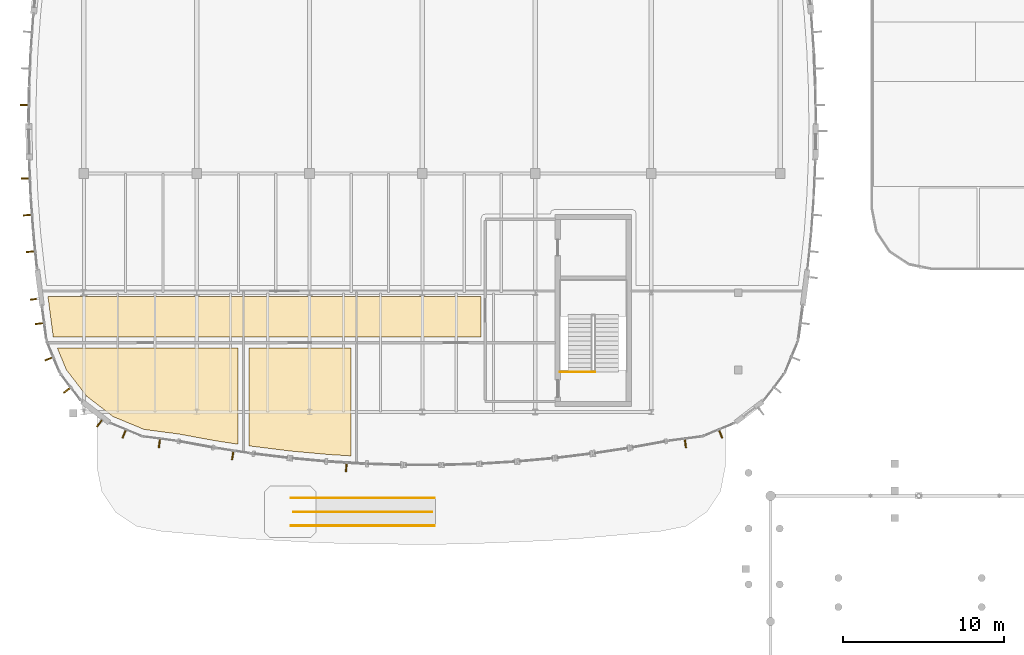
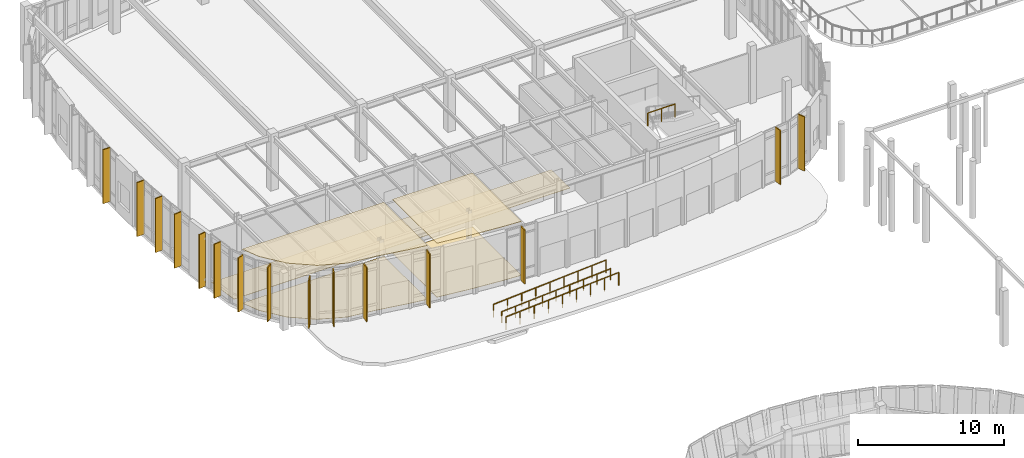
# One storey, part 109 of 120: 20 coverings, 4 railings, 2 shading devices.
"""IFC4 building model written with IfcOpenShell, lengths in metres."""

from ifc_helpers import new_model, si_unit, direction, frame, origin, origin_2d, place, context, subcontext, project, spatial, polyline, rectangle, circle, outline, extrude, material, layer, layer_set, type_object, element, save


model = new_model("IFC4")

# Units and contexts
model_context = context("Model", 3, precision=1e-05, world=origin(), true_north=direction((0.0, 1.0)))
body_context = subcontext(model_context, "Body", "Model", "MODEL_VIEW")
ifc_project = project(units=[si_unit("LENGTHUNIT", "METRE"), si_unit("AREAUNIT", "SQUARE_METRE"), si_unit("VOLUMEUNIT", "CUBIC_METRE"), si_unit("PLANEANGLEUNIT", "RADIAN"), si_unit("MASSUNIT", "GRAM", prefix="KILO")], contexts=[model_context])

# Site, building, storey
site_placement = place(None, origin())
site = spatial("IfcSite", under=ifc_project, at=site_placement, CompositionType="ELEMENT")
building_placement = place(site_placement, origin())
building = spatial("IfcBuilding", under=site, at=building_placement, Name="Corveleigh Park Community Centre", CompositionType="ELEMENT")
storey_placement = place(building_placement, origin())
storey = spatial("IfcBuildingStorey", under=building, at=storey_placement, Name="L00", CompositionType="ELEMENT", Elevation=0.0)

# Coverings
ifc_material_1 = material(Name="Warm buff ribbed architectural cladding", Category="masonry")
ifc_layer_1 = layer(ifc_material_1, 0.0849609375, Name="Warm buff ribbed architectural cladding", Category="masonry")
ifc_layer_set_1 = layer_set([ifc_layer_1], Name="Warm buff ribbed architectural cladding")
covering_type_1 = type_object("IfcCoveringType", Name="COV-CLD-BUF", PredefinedType="CLADDING", material=ifc_layer_set_1)
covering_1_placement = place(storey_placement, origin())
element("IfcCovering", 1, at=covering_1_placement, inside=storey, type_object=covering_type_1, Name="V2 L00 Brise-soleil blade 1", PredefinedType="CLADDING", context=body_context, shape_type="SweptSolid", body=[
    extrude(outline(polyline([(20.52294921875, 75.611083984375), (20.43896484375, 75.6240234375), (20.35205078125, 75.051025390625), (20.43603515625, 75.0380859375), (20.52294921875, 75.611083984375)])), origin(), (0.0, 0.0, 1.0), 4.511962890625),
])
covering_2_placement = place(storey_placement, origin())
element("IfcCovering", 2, at=covering_2_placement, inside=storey, type_object=covering_type_1, Name="V2 L00 Brise-soleil blade 2", PredefinedType="CLADDING", context=body_context, shape_type="SweptSolid", body=[
    extrude(outline(polyline([(27.5400390625, 74.868896484375), (27.455078125, 74.875), (27.419921875, 74.2958984375), (27.5048828125, 74.2900390625), (27.5400390625, 74.868896484375)])), origin(), (0.0, 0.0, 1.0), 4.511962890625),
])
covering_3_placement = place(storey_placement, origin())
element("IfcCovering", 3, at=covering_3_placement, inside=storey, type_object=covering_type_1, Name="V2 L00 Brise-soleil blade 3", PredefinedType="CLADDING", context=body_context, shape_type="SweptSolid", body=[
    extrude(outline(polyline([(48.51611328125, 76.366943359375), (48.431884765625, 76.35595703125), (48.508056640625, 75.781005859375), (48.592041015625, 75.7919921875), (48.51611328125, 76.366943359375)])), origin(), (0.0, 0.0, 1.0), 4.527099609375),
])
covering_4_placement = place(storey_placement, origin())
element("IfcCovering", 4, at=covering_4_placement, inside=storey, type_object=covering_type_1, Name="V2 L00 Brise-soleil blade 4", PredefinedType="CLADDING", context=body_context, shape_type="SweptSolid", body=[
    extrude(outline(polyline([(50.618896484375, 76.93994140625), (50.5400390625, 76.907958984375), (50.761962890625, 76.3720703125), (50.841064453125, 76.404052734375), (50.618896484375, 76.93994140625)])), origin(), (0.0, 0.0, 1.0), 4.527099609375),
])
covering_5_placement = place(storey_placement, origin())
element("IfcCovering", 5, at=covering_5_placement, inside=storey, type_object=covering_type_1, Name="V2 L00 Brise-soleil blade 40", PredefinedType="CLADDING", context=body_context, shape_type="SweptSolid", body=[
    extrude(outline(polyline([(7.81591796875, 96.990966796875), (7.81689453125, 97.075927734375), (7.237060546875, 97.0849609375), (7.236083984375, 97.0), (7.81591796875, 96.990966796875)])), origin(), (0.0, 0.0, 1.0), 4.511962890625),
])
covering_6_placement = place(storey_placement, origin())
element("IfcCovering", 6, at=covering_6_placement, inside=storey, type_object=covering_type_1, Name="V2 L00 Brise-soleil blade 41", PredefinedType="CLADDING", context=body_context, shape_type="SweptSolid", body=[
    extrude(outline(polyline([(7.884033203125, 92.4580078125), (7.8798828125, 92.54296875), (7.301025390625, 92.51806640625), (7.303955078125, 92.43310546875), (7.884033203125, 92.4580078125)])), origin(), (0.0, 0.0, 1.0), 4.511962890625),
])
covering_7_placement = place(storey_placement, origin())
element("IfcCovering", 7, at=covering_7_placement, inside=storey, type_object=covering_type_1, Name="V2 L00 Brise-soleil blade 42", PredefinedType="CLADDING", context=body_context, shape_type="SweptSolid", body=[
    extrude(outline(polyline([(8.01611328125, 90.195068359375), (8.010009765625, 90.280029296875), (7.430908203125, 90.238037109375), (7.43798828125, 90.153076171875), (8.01611328125, 90.195068359375)])), origin(), (0.0, 0.0, 1.0), 4.511962890625),
])
covering_8_placement = place(storey_placement, origin())
element("IfcCovering", 8, at=covering_8_placement, inside=storey, type_object=covering_type_1, Name="V2 L00 Brise-soleil blade 43", PredefinedType="CLADDING", context=body_context, shape_type="SweptSolid", body=[
    extrude(outline(polyline([(8.214111328125, 87.93701171875), (8.2060546875, 88.02099609375), (7.62890625, 87.962890625), (7.636962890625, 87.8779296875), (8.214111328125, 87.93701171875)])), origin(), (0.0, 0.0, 1.0), 4.511962890625),
])
covering_9_placement = place(storey_placement, origin())
element("IfcCovering", 9, at=covering_9_placement, inside=storey, type_object=covering_type_1, Name="V2 L00 Brise-soleil blade 44", PredefinedType="CLADDING", context=body_context, shape_type="SweptSolid", body=[
    extrude(outline(polyline([(8.412109375, 84.992919921875), (8.40087890625, 85.076904296875), (7.87109375, 85.007080078125), (7.882080078125, 84.923095703125), (8.412109375, 84.992919921875)])), origin(), (0.0, 0.0, 1.0), 4.511962890625),
])
covering_10_placement = place(storey_placement, origin())
element("IfcCovering", 10, at=covering_10_placement, inside=storey, type_object=covering_type_1, Name="V2 L00 Brise-soleil blade 45", PredefinedType="CLADDING", context=body_context, shape_type="SweptSolid", body=[
    extrude(outline(polyline([(8.76708984375, 83.486083984375), (8.756103515625, 83.571044921875), (8.180908203125, 83.4951171875), (8.19189453125, 83.410888671875), (8.76708984375, 83.486083984375)])), origin(), (0.0, 0.0, 1.0), 4.511962890625),
])
covering_11_placement = place(storey_placement, origin())
element("IfcCovering", 11, at=covering_11_placement, inside=storey, type_object=covering_type_1, Name="V2 L00 Brise-soleil blade 46", PredefinedType="CLADDING", context=body_context, shape_type="SweptSolid", body=[
    extrude(outline(polyline([(9.340087890625, 81.381103515625), (9.30810546875, 81.4599609375), (8.77197265625, 81.238037109375), (8.803955078125, 81.158935546875), (9.340087890625, 81.381103515625)])), origin(), (0.0, 0.0, 1.0), 4.511962890625),
])
covering_12_placement = place(storey_placement, origin())
element("IfcCovering", 12, at=covering_12_placement, inside=storey, type_object=covering_type_1, Name="V2 L00 Brise-soleil blade 47", PredefinedType="CLADDING", context=body_context, shape_type="SweptSolid", body=[
    extrude(outline(polyline([(10.43408203125, 79.508056640625), (10.382080078125, 79.575927734375), (9.922119140625, 79.222900390625), (9.97412109375, 79.155029296875), (10.43408203125, 79.508056640625)])), origin(), (0.0, 0.0, 1.0), 4.511962890625),
])
covering_13_placement = place(storey_placement, origin())
element("IfcCovering", 13, at=covering_13_placement, inside=storey, type_object=covering_type_1, Name="V2 L00 Brise-soleil blade 48", PredefinedType="CLADDING", context=body_context, shape_type="SweptSolid", body=[
    extrude(outline(polyline([(12.363037109375, 77.47705078125), (12.2958984375, 77.529052734375), (11.969970703125, 77.10400390625), (12.0380859375, 77.052978515625), (12.363037109375, 77.47705078125)])), origin(), (0.0, 0.0, 1.0), 4.054931640625),
])
covering_14_placement = place(storey_placement, origin())
element("IfcCovering", 14, at=covering_14_placement, inside=storey, type_object=covering_type_1, Name="V2 L00 Brise-soleil blade 49", PredefinedType="CLADDING", context=body_context, shape_type="SweptSolid", body=[
    extrude(outline(polyline([(13.860107421875, 76.907958984375), (13.781005859375, 76.93994140625), (13.55908203125, 76.404052734375), (13.637939453125, 76.3720703125), (13.860107421875, 76.907958984375)])), origin(), (0.0, 0.0, 1.0), 4.527099609375),
])
covering_15_placement = place(storey_placement, origin())
element("IfcCovering", 15, at=covering_15_placement, inside=storey, type_object=covering_type_1, Name="V2 L00 Brise-soleil blade 50", PredefinedType="CLADDING", context=body_context, shape_type="SweptSolid", body=[
    extrude(outline(polyline([(15.968017578125, 76.35595703125), (15.884033203125, 76.366943359375), (15.80810546875, 75.7919921875), (15.89208984375, 75.781005859375), (15.968017578125, 76.35595703125)])), origin(), (0.0, 0.0, 1.0), 4.511962890625),
])
ifc_material_2 = material(Name="Perforated acoustic suspended ceiling", Category="gypsum")
ifc_layer_2 = layer(ifc_material_2, 0.0400390625, Name="Perforated acoustic suspended ceiling", Category="gypsum")
ifc_layer_set_2 = layer_set([ifc_layer_2], Name="Perforated acoustic suspended ceiling")
covering_type_2 = type_object("IfcCoveringType", Name="COV-CLG-ACU", PredefinedType="CEILING", material=ifc_layer_set_2)
covering_16_placement = place(storey_placement, frame((0.0, 0.0, 4.4951171875)))
element("IfcCovering", 16, at=covering_16_placement, inside=storey, type_object=covering_type_2, Name="Home and Away Team Changing acoustic ceiling", PredefinedType="CEILING", context=body_context, shape_type="SweptSolid", body=[
    extrude(outline(polyline([(19.387939453125, 76.208984375), (17.072998046875, 76.634033203125), (14.94091796875, 76.9150390625), (13.02197265625, 77.708984375), (11.3740234375, 78.97412109375), (10.10888671875, 80.6220703125), (9.554931640625, 81.9599609375), (20.760009765625, 81.9599609375), (20.760009765625, 76.0), (19.387939453125, 76.208984375)])), origin(), (0.0, 0.0, 1.0), 0.039794921875),
])
covering_17_placement = place(storey_placement, frame((0.0, 0.0, 4.4951171875)))
element("IfcCovering", 17, at=covering_17_placement, inside=storey, type_object=covering_type_2, Name="Accessible Changing and Toilets acoustic ceiling", PredefinedType="CEILING", context=body_context, shape_type="SweptSolid", body=[
    extrude(outline(polyline([(21.43994140625, 81.9599609375), (27.760009765625, 81.9599609375), (27.760009765625, 75.277099609375), (26.35498046875, 75.362060546875), (24.02490234375, 75.574951171875), (21.43994140625, 75.89697265625), (21.43994140625, 81.9599609375)])), origin(), (0.0, 0.0, 1.0), 0.039794921875),
])
ifc_material_3 = material(Name="Acoustic linoleum flooring", Category="wood")
ifc_layer_3 = layer(ifc_material_3, 0.02490234375, Name="Acoustic linoleum flooring", Category="wood")
ifc_layer_set_3 = layer_set([ifc_layer_3], Name="Acoustic linoleum flooring")
covering_type_3 = type_object("IfcCoveringType", Name="COV-FLR-LIN", PredefinedType="FLOORING", material=ifc_layer_set_3)
covering_18_placement = place(storey_placement, origin())
element("IfcCovering", 18, at=covering_18_placement, inside=storey, type_object=covering_type_3, Name="Sports Foyer and Reception flooring", PredefinedType="FLOORING", context=body_context, shape_type="SweptSolid", body=[
    extrude(outline(polyline([(35.85009765625, 85.159912109375), (35.85009765625, 82.639892578125), (9.302001953125, 82.639892578125), (8.969970703125, 85.159912109375), (35.85009765625, 85.159912109375)])), origin(), (0.0, 0.0, 1.0), 0.02490234375),
])
covering_19_placement = place(storey_placement, origin())
element("IfcCovering", 19, at=covering_19_placement, inside=storey, type_object=covering_type_3, Name="Home and Away Team Changing flooring", PredefinedType="FLOORING", context=body_context, shape_type="SweptSolid", body=[
    extrude(outline(polyline([(19.387939453125, 76.208984375), (17.072998046875, 76.634033203125), (14.94091796875, 76.9150390625), (13.02197265625, 77.708984375), (11.3740234375, 78.97412109375), (10.10888671875, 80.6220703125), (9.554931640625, 81.9599609375), (20.760009765625, 81.9599609375), (20.760009765625, 76.0), (19.387939453125, 76.208984375)])), origin(), (0.0, 0.0, 1.0), 0.02490234375),
])
covering_20_placement = place(storey_placement, origin())
element("IfcCovering", 20, at=covering_20_placement, inside=storey, type_object=covering_type_3, Name="Accessible Changing and Toilets flooring", PredefinedType="FLOORING", context=body_context, shape_type="SweptSolid", body=[
    extrude(outline(polyline([(21.43994140625, 81.9599609375), (27.760009765625, 81.9599609375), (27.760009765625, 75.277099609375), (26.35498046875, 75.362060546875), (24.02490234375, 75.574951171875), (21.43994140625, 75.89697265625), (21.43994140625, 81.9599609375)])), origin(), (0.0, 0.0, 1.0), 0.02490234375),
])

# Railings
ifc_material_4 = material(Name="Stainless steel 316 balustrade", Category="steel")
railing_type_1 = type_object("IfcRailingType", Name="RLG-BAL-EXT-1100", PredefinedType="BALUSTRADE", material=ifc_material_4)
for number, where, name in (
    (21, (24.050048828125, 72.659912109375, -0.596923828125), "Ramp RM6 guard L"),
    (22, (24.050048828125, 70.93994140625, -0.596923828125), "Ramp RM6 guard R"),
):
    element("IfcRailing", number, at=place(storey_placement, frame(where)), inside=storey, type_object=railing_type_1, Name=name, PredefinedType="BALUSTRADE", context=body_context, shape_type="SweptSolid", body=[
        extrude(circle(Radius=0.02392578125, at=origin_2d()), frame((0.0, 0.0, 1.076171875), z_axis=(0.997780189552, 0.0, 0.066593493202), x_axis=(0.0, 1.0, 0.0)), (0.0, 0.0, 1.0), 8.919677734375),
        extrude(circle(Radius=0.02099609375, at=origin_2d()), origin(), (0.0, 0.0, 1.0), 1.052001953125),
        extrude(circle(Radius=0.02099609375, at=origin_2d()), frame((1.112548828125, 0.0, 0.07421875)), (0.0, 0.0, 1.0), 1.052001953125),
        extrude(circle(Radius=0.02099609375, at=origin_2d()), frame((2.22509765625, 0.0, 0.1484375)), (0.0, 0.0, 1.0), 1.052001953125),
        extrude(circle(Radius=0.02099609375, at=origin_2d()), frame((3.33740234375, 0.0, 0.22265625)), (0.0, 0.0, 1.0), 1.052001953125),
        extrude(circle(Radius=0.02099609375, at=origin_2d()), frame((4.449951171875, 0.0, 0.296875)), (0.0, 0.0, 1.0), 1.052001953125),
        extrude(circle(Radius=0.02099609375, at=origin_2d()), frame((5.5625, 0.0, 0.371337890625)), (0.0, 0.0, 1.0), 1.052001953125),
        extrude(circle(Radius=0.02099609375, at=origin_2d()), frame((6.6748046875, 0.0, 0.445556640625)), (0.0, 0.0, 1.0), 1.052001953125),
        extrude(circle(Radius=0.02099609375, at=origin_2d()), frame((7.787353515625, 0.0, 0.519775390625)), (0.0, 0.0, 1.0), 1.052001953125),
        extrude(circle(Radius=0.02099609375, at=origin_2d()), frame((8.89990234375, 0.0, 0.593994140625)), (0.0, 0.0, 1.0), 1.052001953125),
    ])
railing_type_2 = type_object("IfcRailingType", Name="RLG-BAL-INT-1100", PredefinedType="BALUSTRADE", material=ifc_material_4)
railing_1_placement = place(storey_placement, frame((40.7548828125, 80.47998046875, 4.800048828125)))
element("IfcRailing", 23, at=railing_1_placement, inside=storey, type_object=railing_type_2, Name="Stair ST3 landing guard L00", PredefinedType="BALUSTRADE", context=body_context, shape_type="SweptSolid", body=[
    extrude(circle(Radius=0.02392578125, at=origin_2d()), frame((0.0, 0.0, 1.076171875), z_axis=(1.0, 0.0, 0.0), x_axis=(0.0, 1.0, 0.0)), (0.0, 0.0, 1.0), 2.14501953125),
    extrude(circle(Radius=0.02099609375, at=origin_2d()), origin(), (0.0, 0.0, 1.0), 1.052001953125),
    extrude(circle(Radius=0.02099609375, at=origin_2d()), frame((1.072509765625, 0.0, 0.0)), (0.0, 0.0, 1.0), 1.052001953125),
    extrude(circle(Radius=0.02099609375, at=origin_2d()), frame((2.14501953125, 0.0, 0.0)), (0.0, 0.0, 1.0), 1.052001953125),
])
ifc_material_5 = material(Name="Powder-coated aluminium handrail", Category="aluminium")
railing_type_3 = type_object("IfcRailingType", Name="RLG-HND-EXT-950", PredefinedType="HANDRAIL", material=ifc_material_5)
railing_2_placement = place(storey_placement, frame((24.199951171875, 71.800048828125, -0.5869140625)))
element("IfcRailing", 24, at=railing_2_placement, inside=storey, type_object=railing_type_3, Name="Accessible ramp handrail RM6", PredefinedType="HANDRAIL", context=body_context, shape_type="SweptSolid", body=[
    extrude(circle(Radius=0.02392578125, at=origin_2d()), frame((0.0, 0.0, 0.92578125), z_axis=(0.997780267202, 0.0, 0.066592329762), x_axis=(0.0, 1.0, 0.0)), (0.0, 0.0, 1.0), 8.619140625),
    extrude(circle(Radius=0.02099609375, at=origin_2d()), origin(), (0.0, 0.0, 1.0), 0.90185546875),
    extrude(circle(Radius=0.02099609375, at=origin_2d()), frame((1.074951171875, 0.0, 0.07177734375)), (0.0, 0.0, 1.0), 0.90185546875),
    extrude(circle(Radius=0.02099609375, at=origin_2d()), frame((2.14990234375, 0.0, 0.1435546875)), (0.0, 0.0, 1.0), 0.90185546875),
    extrude(circle(Radius=0.02099609375, at=origin_2d()), frame((3.22509765625, 0.0, 0.21533203125)), (0.0, 0.0, 1.0), 0.90185546875),
    extrude(circle(Radius=0.02099609375, at=origin_2d()), frame((4.300048828125, 0.0, 0.287109375)), (0.0, 0.0, 1.0), 0.90185546875),
    extrude(circle(Radius=0.02099609375, at=origin_2d()), frame((5.375, 0.0, 0.358642578125)), (0.0, 0.0, 1.0), 0.90185546875),
    extrude(circle(Radius=0.02099609375, at=origin_2d()), frame((6.4501953125, 0.0, 0.430419921875)), (0.0, 0.0, 1.0), 0.90185546875),
    extrude(circle(Radius=0.02099609375, at=origin_2d()), frame((7.525146484375, 0.0, 0.502197265625)), (0.0, 0.0, 1.0), 0.90185546875),
    extrude(circle(Radius=0.02099609375, at=origin_2d()), frame((8.60009765625, 0.0, 0.573974609375)), (0.0, 0.0, 1.0), 0.90185546875),
])

# Shading devices
ifc_material_6 = material(Name="Terracotta-anodised aluminium fin", Category="masonry")
shading_device_type_1 = type_object("IfcShadingDeviceType", Name="SHD-FIN-TER-350", PredefinedType="USERDEFINED", material=ifc_material_6)
shading_device_1_placement = place(storey_placement, frame((12.214111328125, 77.35205078125, 0.25), z_axis=(0.0, 0.0, 1.0), x_axis=(-0.608825655317, -0.793304053581, 0.0)))
element("IfcShadingDevice", 25, at=shading_device_1_placement, inside=storey, type_object=shading_device_type_1, Name="Terracotta brise-soleil fin 5", ObjectType="FIN", PredefinedType="USERDEFINED", context=body_context, shape_type="SweptSolid", body=[
    extrude(rectangle(XDim=0.35009765625, YDim=0.06005859375, at=origin_2d()), origin(), (0.0, 0.0, 1.0), 3.655029296875),
])
shading_device_type_2 = type_object("IfcShadingDeviceType", Name="SHD-FIN-TER-450", PredefinedType="USERDEFINED", material=ifc_material_6)
shading_device_2_placement = place(storey_placement, frame((8.218017578125, 85.010009765625, 0.25), z_axis=(0.0, 0.0, 1.0), x_axis=(-0.991508592502, -0.13004118961, 0.0)))
element("IfcShadingDevice", 26, at=shading_device_2_placement, inside=storey, type_object=shading_device_type_2, Name="Terracotta brise-soleil fin 4", ObjectType="FIN", PredefinedType="USERDEFINED", context=body_context, shape_type="SweptSolid", body=[
    extrude(rectangle(XDim=0.449951171875, YDim=0.06494140625, at=origin_2d()), origin(), (0.0, 0.0, 1.0), 4.112060546875),
])

save(model, "model.ifc")
